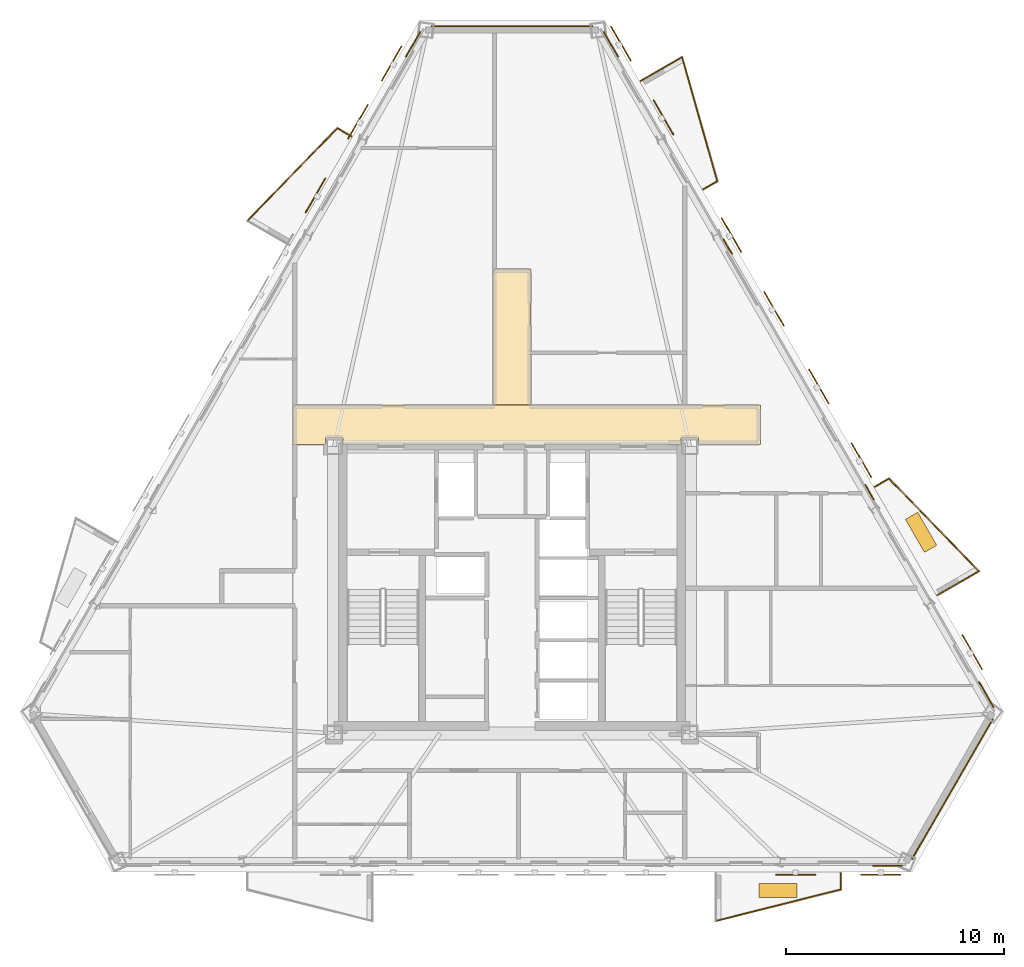
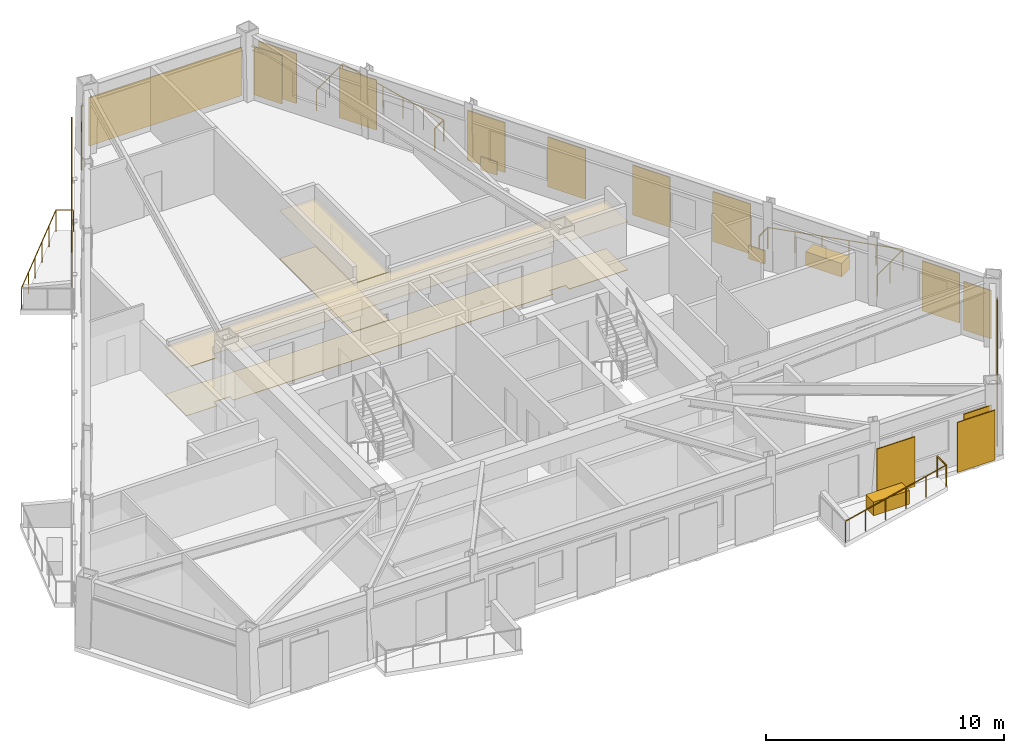
# One storey, part 9 of 9: 14 coverings, 12 shading devices, 10 railings.
"""IFC4 building model written with IfcOpenShell, lengths in metres."""

from ifc_helpers import new_model, si_unit, direction, frame, origin, origin_2d, place, context, subcontext, project, spatial, polyline, rectangle, circle, outline, extrude, material, layer, layer_set, type_object, element, save


model = new_model("IFC4")

# Units and contexts
model_context = context("Model", 3, precision=1e-05, world=origin(), true_north=direction((0.0, 1.0)))
body_context = subcontext(model_context, "Body", "Model", "MODEL_VIEW")
ifc_project = project(units=[si_unit("LENGTHUNIT", "METRE"), si_unit("AREAUNIT", "SQUARE_METRE"), si_unit("VOLUMEUNIT", "CUBIC_METRE"), si_unit("PLANEANGLEUNIT", "RADIAN"), si_unit("MASSUNIT", "GRAM", prefix="KILO")], contexts=[model_context])

# Site, building, storey
site_placement = place(None, origin())
site = spatial("IfcSite", under=ifc_project, at=site_placement, CompositionType="ELEMENT")
building_placement = place(site_placement, origin())
building = spatial("IfcBuilding", under=site, at=building_placement, Name="Oramaril Tower", CompositionType="ELEMENT")
storey_placement = place(building_placement, frame((0.0, 0.0, 185.39990234375)))
storey = spatial("IfcBuildingStorey", under=building, at=storey_placement, Name="L49", CompositionType="ELEMENT", Elevation=185.39990234375)

# Coverings
ifc_material_1 = material(Name="Mineral Fibre Acoustic Ceiling")
ifc_layer_1 = layer(ifc_material_1, 0.02001953125)
ifc_layer_set_1 = layer_set([ifc_layer_1], Name="CVT-CEIL")
covering_type_1 = type_object("IfcCoveringType", Name="CVT-CEIL", PredefinedType="CEILING", material=ifc_layer_set_1)
covering_1_placement = place(storey_placement, frame((0.0, 0.0, 2.47216796875)))
element("IfcCovering", 1, at=covering_1_placement, inside=storey, type_object=covering_type_1, Name="L49 Acoustic Suspended Ceiling 2", PredefinedType="CEILING", context=body_context, shape_type="SweptSolid", body=[
    extrude(outline(polyline([(48.8798828125, 24.239990234375), (46.044921875, 24.239990234375), (46.044921875, 24.544921875), (45.2548828125, 24.544921875), (45.2548828125, 24.25), (29.7451171875, 24.25), (29.7451171875, 24.544921875), (28.955078125, 24.544921875), (28.955078125, 24.239990234375), (27.469970703125, 24.239990234375), (27.469970703125, 26.050048828125), (48.8798828125, 26.050048828125), (48.8798828125, 24.239990234375)])), origin(), (0.0, 0.0, 1.0), 0.02001953125),
])
covering_2_placement = place(storey_placement, frame((0.0, 0.0, 2.47216796875)))
element("IfcCovering", 2, at=covering_2_placement, inside=storey, type_object=covering_type_1, Name="L49 Acoustic Suspended Ceiling 4", PredefinedType="CEILING", context=body_context, shape_type="SweptSolid", body=[
    extrude(outline(polyline([(38.3798828125, 26.070068359375), (36.6201171875, 26.070068359375), (36.6201171875, 32.280029296875), (38.3798828125, 32.280029296875), (38.3798828125, 26.070068359375)])), origin(), (0.0, 0.0, 1.0), 0.02001953125),
])
ifc_material_2 = material(Name="Warm Cream Limestone", Category="masonry")
ifc_layer_2 = layer(ifc_material_2, 0.050048828125)
ifc_layer_set_2 = layer_set([ifc_layer_2], Name="CVT-CLD")
covering_type_2 = type_object("IfcCoveringType", Name="CVT-CLD", PredefinedType="CLADDING", material=ifc_layer_set_2)
covering_3_placement = place(storey_placement, frame((54.707275390625, 4.932373046875, 0.0400390625), z_axis=(0.0, 0.0, 1.0), x_axis=(1.0, 0.0, 0.0)))
element("IfcCovering", 3, at=covering_3_placement, inside=storey, type_object=covering_type_2, Name="L49 Warm Cream Limestone Cladding", PredefinedType="CLADDING", context=body_context, shape_type="SweptSolid", body=[
    extrude(rectangle(XDim=1.35009765625, YDim=0.050048828125, at=origin_2d()), origin(), (0.0, 0.0, 1.0), 2.47998046875),
])
covering_4_placement = place(storey_placement, frame((57.68359375, 8.447021484375, 0.0400390625), z_axis=(0.0, 0.0, 1.0), x_axis=(0.500007557478, 0.866021040428, 0.0)))
element("IfcCovering", 4, at=covering_4_placement, inside=storey, type_object=covering_type_2, Name="L49 Warm Cream Limestone Cladding", PredefinedType="CLADDING", context=body_context, shape_type="SweptSolid", body=[
    extrude(rectangle(XDim=7.422607421875, YDim=0.050048828125, at=origin_2d()), origin(), (0.0, 0.0, 1.0), 2.47998046875),
])
for number, where, z_axis, x_axis, name in (
    (5, (59.2392578125, 12.78173828125, 0.0400390625), (0.0, 0.0, 1.0), (-0.5, 0.866025403784, 0.0), "L49 Warm Cream Limestone Cladding"),
    (6, (42.03173828125, 42.585693359375, 0.0400390625), (0.0, 0.0, 1.0), (-0.5, 0.866025403784, 0.0), "L49 Warm Cream Limestone Cladding"),
):
    element("IfcCovering", number, at=place(storey_placement, frame(where, z_axis=z_axis, x_axis=x_axis)), inside=storey, type_object=covering_type_2, Name=name, PredefinedType="CLADDING", context=body_context, shape_type="SweptSolid", body=[
        extrude(rectangle(XDim=1.35009765625, YDim=0.050048828125, at=origin_2d()), origin(), (0.0, 0.0, 1.0), 2.47998046875),
    ])
for number, where, z_axis, x_axis, name in (
    (7, (53.8857421875, 22.053955078125, 0.0400390625), (0.0, 0.0, 1.0), (-0.5, 0.866025403784, 0.0), "L49 Warm Cream Limestone Spandrel Cladding"),
    (8, (47.38525390625, 33.3134765625, 0.0400390625), (0.0, 0.0, 1.0), (-0.5, 0.866025403784, 0.0), "L49 Warm Cream Limestone Spandrel Cladding"),
):
    element("IfcCovering", number, at=place(storey_placement, frame(where, z_axis=z_axis, x_axis=x_axis)), inside=storey, type_object=covering_type_2, Name=name, PredefinedType="CLADDING", context=body_context, shape_type="SweptSolid", body=[
        extrude(rectangle(XDim=0.800048828125, YDim=0.050048828125, at=origin_2d()), origin(), (0.0, 0.0, 1.0), 0.679931640625),
    ])
covering_5_placement = place(storey_placement, frame((37.5, 43.406005859375, 0.0400390625), z_axis=(0.0, 0.0, 1.0), x_axis=(-1.0, 0.0, 0.0)))
element("IfcCovering", 9, at=covering_5_placement, inside=storey, type_object=covering_type_2, Name="L49 Warm Cream Limestone Cladding", PredefinedType="CLADDING", context=body_context, shape_type="SweptSolid", body=[
    extrude(rectangle(XDim=7.422607421875, YDim=0.050048828125, at=origin_2d()), origin(), (0.0, 0.0, 1.0), 2.47998046875),
])
covering_6_placement = place(storey_placement, frame((32.96826171875, 42.585693359375, 0.0400390625), z_axis=(0.0, 0.0, 1.0), x_axis=(-0.5, -0.866025403784, 0.0)))
element("IfcCovering", 10, at=covering_6_placement, inside=storey, type_object=covering_type_2, Name="L49 Warm Cream Limestone Cladding", PredefinedType="CLADDING", context=body_context, shape_type="SweptSolid", body=[
    extrude(rectangle(XDim=1.35009765625, YDim=0.050048828125, at=origin_2d()), origin(), (0.0, 0.0, 1.0), 2.47998046875),
])
for number, where, z_axis, x_axis, name in (
    (11, (49.697998046875, 3.803955078125, 0.0), (0.0, 0.0, 1.0), (1.0, 0.0, 0.0), "L49 Structural Tree Planter Box L49-BAL-S2"),
    (12, (56.24951171875, 20.21728515625, 0.0), (0.0, 0.0, 1.0), (-0.500001511499, 0.866024531118, 0.0), "L49 Structural Tree Planter Box L49-BAL-NE1"),
):
    element("IfcCovering", number, at=place(storey_placement, frame(where, z_axis=z_axis, x_axis=x_axis)), inside=storey, type_object=covering_type_2, Name=name, PredefinedType="CLADDING", context=body_context, shape_type="SweptSolid", body=[
        extrude(rectangle(XDim=1.75, YDim=0.64990234375, at=origin_2d()), origin(), (0.0, 0.0, 1.0), 0.699951171875),
    ])
ifc_material_3 = material(Name="Honed Quartzite Stone Flooring", Category="masonry")
ifc_layer_3 = layer(ifc_material_3, 0.02490234375)
ifc_layer_set_3 = layer_set([ifc_layer_3], Name="CVT-FLR")
covering_type_3 = type_object("IfcCoveringType", Name="CVT-FLR", PredefinedType="FLOORING", material=ifc_layer_set_3)
covering_7_placement = place(storey_placement, origin())
element("IfcCovering", 13, at=covering_7_placement, inside=storey, type_object=covering_type_3, Name="L49 Honed Stone Floor Finish 2", PredefinedType="FLOORING", context=body_context, shape_type="SweptSolid", body=[
    extrude(outline(polyline([(48.8798828125, 24.239990234375), (46.044921875, 24.239990234375), (46.044921875, 24.544921875), (45.2548828125, 24.544921875), (45.2548828125, 24.25), (29.7451171875, 24.25), (29.7451171875, 24.544921875), (28.955078125, 24.544921875), (28.955078125, 24.239990234375), (27.469970703125, 24.239990234375), (27.469970703125, 26.050048828125), (48.8798828125, 26.050048828125), (48.8798828125, 24.239990234375)])), origin(), (0.0, 0.0, 1.0), 0.025146484375),
])
covering_8_placement = place(storey_placement, origin())
element("IfcCovering", 14, at=covering_8_placement, inside=storey, type_object=covering_type_3, Name="L49 Honed Stone Floor Finish 4", PredefinedType="FLOORING", context=body_context, shape_type="SweptSolid", body=[
    extrude(outline(polyline([(38.3798828125, 26.070068359375), (36.6201171875, 26.070068359375), (36.6201171875, 32.280029296875), (38.3798828125, 32.280029296875), (38.3798828125, 26.070068359375)])), origin(), (0.0, 0.0, 1.0), 0.025146484375),
])

# Railings
ifc_material_4 = material(Name="Stainless Steel 316L", Category="steel")
railing_type = type_object("IfcRailingType", Name="RLT-GRD", PredefinedType="GUARDRAIL", material=ifc_material_4)
railing_1_placement = place(storey_placement, frame((52.56298828125, 4.59228515625, 0.0)))
element("IfcRailing", 15, at=railing_1_placement, inside=storey, type_object=railing_type, Name="L49 Balcony Guardrail L49-BAL-S2.1", PredefinedType="GUARDRAIL", context=body_context, shape_type="SweptSolid", body=[
    extrude(circle(Radius=0.02392578125, at=origin_2d()), frame((0.0, 0.0, 1.076171875), z_axis=(0.0, -1.0, 0.0), x_axis=(1.0, 0.0, 0.0)), (0.0, 0.0, 1.0), 0.741943359375),
    extrude(circle(Radius=0.02099609375, at=origin_2d()), origin(), (0.0, 0.0, 1.0), 1.052001953125),
    extrude(circle(Radius=0.02099609375, at=origin_2d()), frame((0.0, -0.741943359375, 0.0)), (0.0, 0.0, 1.0), 1.052001953125),
])
railing_2_placement = place(storey_placement, frame((52.56298828125, 3.850341796875, 0.0)))
element("IfcRailing", 16, at=railing_2_placement, inside=storey, type_object=railing_type, Name="L49 Balcony Guardrail L49-BAL-S2.2", PredefinedType="GUARDRAIL", context=body_context, shape_type="SweptSolid", body=[
    extrude(circle(Radius=0.02392578125, at=origin_2d()), frame((0.0, 0.0, 1.076171875), z_axis=(-0.969443611257, -0.245314256807, 0.0), x_axis=(0.245314256807, -0.969443611257, 0.0)), (0.0, 0.0, 1.0), 5.91064453125),
    extrude(circle(Radius=0.02099609375, at=origin_2d()), origin(), (0.0, 0.0, 1.0), 1.052001953125),
    extrude(circle(Radius=0.02099609375, at=origin_2d()), frame((-1.14599609375, -0.2900390625, 0.0)), (0.0, 0.0, 1.0), 1.052001953125),
    extrude(circle(Radius=0.02099609375, at=origin_2d()), frame((-2.2919921875, -0.580078125, 0.0)), (0.0, 0.0, 1.0), 1.052001953125),
    extrude(circle(Radius=0.02099609375, at=origin_2d()), frame((-3.43798828125, -0.869873046875, 0.0)), (0.0, 0.0, 1.0), 1.052001953125),
    extrude(circle(Radius=0.02099609375, at=origin_2d()), frame((-4.583984375, -1.159912109375, 0.0)), (0.0, 0.0, 1.0), 1.052001953125),
    extrude(circle(Radius=0.02099609375, at=origin_2d()), frame((-5.72998046875, -1.449951171875, 0.0)), (0.0, 0.0, 1.0), 1.052001953125),
])
railing_3_placement = place(storey_placement, frame((54.134033203125, 22.30419921875, 0.0)))
element("IfcRailing", 17, at=railing_3_placement, inside=storey, type_object=railing_type, Name="L49 Balcony Guardrail L49-BAL-NE1.1", PredefinedType="GUARDRAIL", context=body_context, shape_type="SweptSolid", body=[
    extrude(circle(Radius=0.02392578125, at=origin_2d()), frame((0.0, 0.0, 1.076171875), z_axis=(0.865966403178, 0.500102178127, 0.0), x_axis=(-0.500102178127, 0.865966403178, 0.0)), (0.0, 0.0, 1.0), 0.741943359375),
    extrude(circle(Radius=0.02099609375, at=origin_2d()), origin(), (0.0, 0.0, 1.0), 1.052001953125),
    extrude(circle(Radius=0.02099609375, at=origin_2d()), frame((0.642578125, 0.37109375, 0.0)), (0.0, 0.0, 1.0), 1.052001953125),
])
railing_4_placement = place(storey_placement, frame((54.776611328125, 22.67529296875, 0.0)))
element("IfcRailing", 18, at=railing_4_placement, inside=storey, type_object=railing_type, Name="L49 Balcony Guardrail L49-BAL-NE1.2", PredefinedType="GUARDRAIL", context=body_context, shape_type="SweptSolid", body=[
    extrude(circle(Radius=0.02392578125, at=origin_2d()), frame((0.0, 0.0, 1.076171875), z_axis=(0.697165686546, -0.716910040034, 0.0), x_axis=(0.716910040034, 0.697165686546, 0.0)), (0.0, 0.0, 1.0), 5.910400390625),
    extrude(circle(Radius=0.02099609375, at=origin_2d()), origin(), (0.0, 0.0, 1.0), 1.052001953125),
    extrude(circle(Radius=0.02099609375, at=origin_2d()), frame((0.82421875, -0.847412109375, 0.0)), (0.0, 0.0, 1.0), 1.052001953125),
    extrude(circle(Radius=0.02099609375, at=origin_2d()), frame((1.648193359375, -1.69482421875, 0.0)), (0.0, 0.0, 1.0), 1.052001953125),
    extrude(circle(Radius=0.02099609375, at=origin_2d()), frame((2.472412109375, -2.54248046875, 0.0)), (0.0, 0.0, 1.0), 1.052001953125),
    extrude(circle(Radius=0.02099609375, at=origin_2d()), frame((3.29638671875, -3.389892578125, 0.0)), (0.0, 0.0, 1.0), 1.052001953125),
    extrude(circle(Radius=0.02099609375, at=origin_2d()), frame((4.12060546875, -4.2373046875, 0.0)), (0.0, 0.0, 1.0), 1.052001953125),
])
railing_5_placement = place(storey_placement, frame((58.897216796875, 18.43798828125, 0.0)))
element("IfcRailing", 19, at=railing_5_placement, inside=storey, type_object=railing_type, Name="L49 Balcony Guardrail L49-BAL-NE1.3", PredefinedType="GUARDRAIL", context=body_context, shape_type="SweptSolid", body=[
    extrude(circle(Radius=0.02392578125, at=origin_2d()), frame((0.0, 0.0, 1.076171875), z_axis=(-0.866020500697, -0.5000084923, 0.0), x_axis=(0.5000084923, -0.866020500697, 0.0)), (0.0, 0.0, 1.0), 2.19189453125),
    extrude(circle(Radius=0.02099609375, at=origin_2d()), origin(), (0.0, 0.0, 1.0), 1.052001953125),
    extrude(circle(Radius=0.02099609375, at=origin_2d()), frame((-0.94921875, -0.5478515625, 0.0)), (0.0, 0.0, 1.0), 1.052001953125),
    extrude(circle(Radius=0.02099609375, at=origin_2d()), frame((-1.898193359375, -1.095947265625, 0.0)), (0.0, 0.0, 1.0), 1.052001953125),
])
railing_6_placement = place(storey_placement, frame((43.3984375, 40.898681640625, 0.0)))
element("IfcRailing", 20, at=railing_6_placement, inside=storey, type_object=railing_type, Name="L49 Balcony Guardrail L49-BAL-NE2.1", PredefinedType="GUARDRAIL", context=body_context, shape_type="SweptSolid", body=[
    extrude(circle(Radius=0.02392578125, at=origin_2d()), frame((0.0, 0.0, 1.076171875), z_axis=(0.866048343933, 0.499960264392, 0.0), x_axis=(-0.499960264392, 0.866048343933, 0.0)), (0.0, 0.0, 1.0), 2.192138671875),
    extrude(circle(Radius=0.02099609375, at=origin_2d()), origin(), (0.0, 0.0, 1.0), 1.052001953125),
    extrude(circle(Radius=0.02099609375, at=origin_2d()), frame((0.94921875, 0.5478515625, 0.0)), (0.0, 0.0, 1.0), 1.052001953125),
    extrude(circle(Radius=0.02099609375, at=origin_2d()), frame((1.8984375, 1.095947265625, 0.0)), (0.0, 0.0, 1.0), 1.052001953125),
])
railing_7_placement = place(storey_placement, frame((45.296875, 41.99462890625, 0.0)))
element("IfcRailing", 21, at=railing_7_placement, inside=storey, type_object=railing_type, Name="L49 Balcony Guardrail L49-BAL-NE2.2", PredefinedType="GUARDRAIL", context=body_context, shape_type="SweptSolid", body=[
    extrude(circle(Radius=0.02392578125, at=origin_2d()), frame((0.0, 0.0, 1.076171875), z_axis=(0.27224886544, -0.962226873074, 0.0), x_axis=(0.962226873074, 0.27224886544, 0.0)), (0.0, 0.0, 1.0), 5.910400390625),
    extrude(circle(Radius=0.02099609375, at=origin_2d()), origin(), (0.0, 0.0, 1.0), 1.052001953125),
    extrude(circle(Radius=0.02099609375, at=origin_2d()), frame((0.32177734375, -1.137451171875, 0.0)), (0.0, 0.0, 1.0), 1.052001953125),
    extrude(circle(Radius=0.02099609375, at=origin_2d()), frame((0.6435546875, -2.27490234375, 0.0)), (0.0, 0.0, 1.0), 1.052001953125),
    extrude(circle(Radius=0.02099609375, at=origin_2d()), frame((0.965576171875, -3.412353515625, 0.0)), (0.0, 0.0, 1.0), 1.052001953125),
    extrude(circle(Radius=0.02099609375, at=origin_2d()), frame((1.287353515625, -4.5498046875, 0.0)), (0.0, 0.0, 1.0), 1.052001953125),
    extrude(circle(Radius=0.02099609375, at=origin_2d()), frame((1.609130859375, -5.687255859375, 0.0)), (0.0, 0.0, 1.0), 1.052001953125),
])
railing_8_placement = place(storey_placement, frame((46.906005859375, 36.307373046875, 0.0)))
element("IfcRailing", 22, at=railing_8_placement, inside=storey, type_object=railing_type, Name="L49 Balcony Guardrail L49-BAL-NE2.3", PredefinedType="GUARDRAIL", context=body_context, shape_type="SweptSolid", body=[
    extrude(circle(Radius=0.02392578125, at=origin_2d()), frame((0.0, 0.0, 1.076171875), z_axis=(-0.865966403178, -0.500102178127, 0.0), x_axis=(0.500102178127, -0.865966403178, 0.0)), (0.0, 0.0, 1.0), 0.741943359375),
    extrude(circle(Radius=0.02099609375, at=origin_2d()), origin(), (0.0, 0.0, 1.0), 1.052001953125),
    extrude(circle(Radius=0.02099609375, at=origin_2d()), frame((-0.642578125, -0.37109375, 0.0)), (0.0, 0.0, 1.0), 1.052001953125),
])
railing_9_placement = place(storey_placement, frame((25.375732421875, 34.499267578125, 0.0)))
element("IfcRailing", 23, at=railing_9_placement, inside=storey, type_object=railing_type, Name="L49 Balcony Guardrail L49-BAL-NW1.2", PredefinedType="GUARDRAIL", context=body_context, shape_type="SweptSolid", body=[
    extrude(circle(Radius=0.02392578125, at=origin_2d()), frame((0.0, 0.0, 1.076171875), z_axis=(0.697186915353, 0.716889395277, 0.0), x_axis=(-0.716889395277, 0.697186915353, 0.0)), (0.0, 0.0, 1.0), 5.91064453125),
    extrude(circle(Radius=0.02099609375, at=origin_2d()), origin(), (0.0, 0.0, 1.0), 1.052001953125),
    extrude(circle(Radius=0.02099609375, at=origin_2d()), frame((0.82421875, 0.847412109375, 0.0)), (0.0, 0.0, 1.0), 1.052001953125),
    extrude(circle(Radius=0.02099609375, at=origin_2d()), frame((1.6484375, 1.69482421875, 0.0)), (0.0, 0.0, 1.0), 1.052001953125),
    extrude(circle(Radius=0.02099609375, at=origin_2d()), frame((2.472412109375, 2.54248046875, 0.0)), (0.0, 0.0, 1.0), 1.052001953125),
    extrude(circle(Radius=0.02099609375, at=origin_2d()), frame((3.296630859375, 3.389892578125, 0.0)), (0.0, 0.0, 1.0), 1.052001953125),
    extrude(circle(Radius=0.02099609375, at=origin_2d()), frame((4.120849609375, 4.2373046875, 0.0)), (0.0, 0.0, 1.0), 1.052001953125),
])
railing_10_placement = place(storey_placement, frame((29.49658203125, 38.736572265625, 0.0)))
element("IfcRailing", 24, at=railing_10_placement, inside=storey, type_object=railing_type, Name="L49 Balcony Guardrail L49-BAL-NW1.3", PredefinedType="GUARDRAIL", context=body_context, shape_type="SweptSolid", body=[
    extrude(circle(Radius=0.02392578125, at=origin_2d()), frame((0.0, 0.0, 1.076171875), z_axis=(0.865884080729, -0.500244698863, 0.0), x_axis=(0.500244698863, 0.865884080729, 0.0)), (0.0, 0.0, 1.0), 0.741943359375),
    extrude(circle(Radius=0.02099609375, at=origin_2d()), origin(), (0.0, 0.0, 1.0), 1.052001953125),
    extrude(circle(Radius=0.02099609375, at=origin_2d()), frame((0.642333984375, -0.37109375, 0.0)), (0.0, 0.0, 1.0), 1.052001953125),
])

# Shading devices
for number, where, z_axis, x_axis, name in (
    (25, (50.497314453125, 4.5205078125, -0.02001953125), (0.0, 0.0, 1.0), (1.0, 0.0, 0.0), "L49 Perforated Ceramic Solar Screen"),
    (26, (54.3974609375, 4.5205078125, -0.02001953125), (0.0, 0.0, 1.0), (1.0, 0.0, 0.0), "L49 Perforated Ceramic Solar Screen"),
    (27, (58.5908203125, 14.728759765625, -0.02001953125), (0.0, 0.0, 1.0), (-0.5, 0.866025403784, 0.0), "L49 Perforated Ceramic Solar Screen"),
    (28, (53.5146484375, 23.52099609375, -0.02001953125), (0.0, 0.0, 1.0), (-0.5, 0.866025403784, 0.0), "L49 Perforated Ceramic Solar Screen"),
    (29, (51.564697265625, 26.8984375, -0.02001953125), (0.0, 0.0, 1.0), (-0.5, 0.866025403784, 0.0), "L49 Perforated Ceramic Solar Screen"),
    (30, (49.509033203125, 30.458740234375, -0.02001953125), (0.0, 0.0, 1.0), (-0.5, 0.866025403784, 0.0), "L49 Perforated Ceramic Solar Screen"),
    (31, (47.55908203125, 33.836181640625, -0.02001953125), (0.0, 0.0, 1.0), (-0.5, 0.866025403784, 0.0), "L49 Perforated Ceramic Solar Screen"),
    (32, (44.44384765625, 39.232177734375, -0.02001953125), (0.0, 0.0, 1.0), (-0.5, 0.866025403784, 0.0), "L49 Perforated Ceramic Solar Screen"),
    (33, (42.493896484375, 42.609619140625, -0.02001953125), (0.0, 0.0, 1.0), (-0.5, 0.866025403784, 0.0), "L49 Perforated Ceramic Solar Screen"),
    (34, (30.44287109375, 39.035888671875, -0.02001953125), (0.0, 0.0, 1.0), (-0.5, -0.866025403784, 0.0), "L49 Perforated Ceramic Solar Screen"),
    (35, (28.492919921875, 35.658203125, -0.02001953125), (0.0, 0.0, 1.0), (-0.5, -0.866025403784, 0.0), "L49 Perforated Ceramic Solar Screen"),
    (36, (31.98291015625, 41.703369140625, -0.02001953125), (0.0, 0.0, 1.0), (-0.5, -0.866025403784, 0.0), "L49 Perforated Ceramic Solar Screen"),
):
    element("IfcShadingDevice", number, at=place(storey_placement, frame(where, z_axis=z_axis, x_axis=x_axis)), inside=storey, Name=name, ObjectType="SCREEN", PredefinedType="USERDEFINED", context=body_context, shape_type="SweptSolid", body=[
        extrude(rectangle(XDim=1.8330078125, YDim=0.050048828125, at=origin_2d()), origin(), (0.0, 0.0, 1.0), 2.56005859375),
    ])

save(model, "model.ifc")
